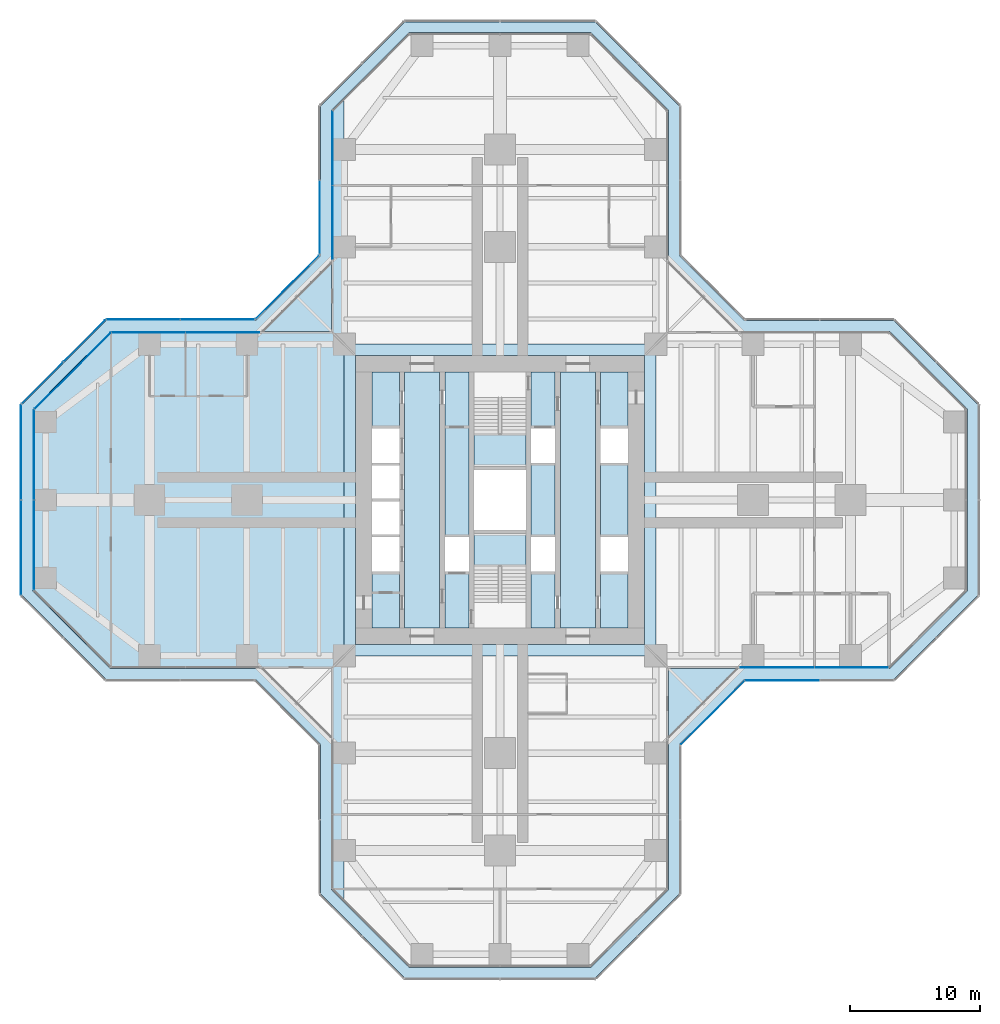
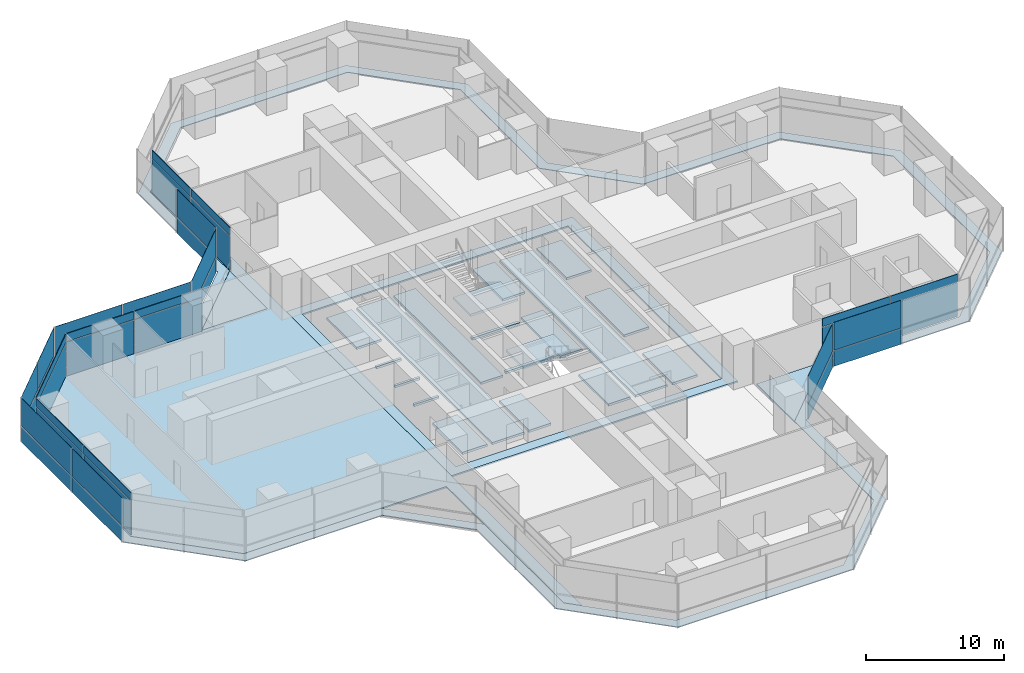
# One storey, part 15 of 22: 39 plates, 7 slabs, 14 elements without a shape of their own.
"""IFC4 building model written with IfcOpenShell, lengths in metres."""

from ifc_helpers import new_model, si_unit, direction, frame, origin, origin_2d, place, context, subcontext, project, spatial, polyline, rectangle, outline, extrude, material, layer, layer_set, type_object, element, aggregate, save


model = new_model("IFC4")

# Units and contexts
model_context = context("Model", 3, precision=1e-05, world=origin(), true_north=direction((0.0, 1.0)))
body_context = subcontext(model_context, "Body", "Model", "MODEL_VIEW")
ifc_project = project(units=[si_unit("LENGTHUNIT", "METRE"), si_unit("AREAUNIT", "SQUARE_METRE"), si_unit("VOLUMEUNIT", "CUBIC_METRE"), si_unit("PLANEANGLEUNIT", "RADIAN"), si_unit("MASSUNIT", "GRAM", prefix="KILO")], contexts=[model_context])

# Site, building, storey
site_placement = place(None, origin())
site = spatial("IfcSite", under=ifc_project, at=site_placement, CompositionType="ELEMENT")
building_placement = place(site_placement, origin())
building = spatial("IfcBuilding", under=site, at=building_placement, Name="Mizan Broadcast Tower", CompositionType="ELEMENT")
storey_placement = place(building_placement, frame((0.0, 0.0, 86.39990234375)))
storey = spatial("IfcBuildingStorey", under=building, at=storey_placement, Name="L18", CompositionType="ELEMENT", Elevation=86.39990234375)

# Plate
ifc_material_1 = material(Name="Aluminium grating", Category="aluminium")
ifc_layer_1 = layer(ifc_material_1, 0.050048828125)
ifc_layer_set_1 = layer_set([ifc_layer_1], Name="Aluminium grating")
plate_type_1 = type_object("IfcPlateType", Name="CAVITY GRATING", PredefinedType="USERDEFINED", material=ifc_layer_set_1)
plate_1_placement = place(storey_placement, frame((0.0, 0.0, -0.0498046875)))
element("IfcPlate", 1, at=plate_1_placement, inside=storey, type_object=plate_type_1, Name="Cavity grating L18", ObjectType="GRATING", PredefinedType="USERDEFINED", context=body_context, shape_type="SweptSolid", body=[
    extrude(outline(polyline([(13.820068359375, -18.839599609375), (18.839599609375, -13.820068359375), (30.339599609375, -13.820068359375), (36.820068359375, -7.339599609375), (36.820068359375, 7.339599609375), (30.339599609375, 13.820068359375), (18.839599609375, 13.820068359375), (13.820068359375, 18.839599609375), (13.820068359375, 30.339599609375), (7.339599609375, 36.820068359375), (-7.339599609375, 36.820068359375), (-13.820068359375, 30.339599609375), (-13.820068359375, 18.839599609375), (-18.839599609375, 13.820068359375), (-30.339599609375, 13.820068359375), (-36.820068359375, 7.339599609375), (-36.820068359375, -7.339599609375), (-30.339599609375, -13.820068359375), (-18.839599609375, -13.820068359375), (-13.820068359375, -18.839599609375), (-13.820068359375, -30.339599609375), (-7.339599609375, -36.820068359375), (7.339599609375, -36.820068359375), (13.820068359375, -30.339599609375), (13.820068359375, -18.839599609375)]), holes=[polyline([(36.0, 7.0), (36.0, -7.0), (30.0, -13.0), (18.5, -13.0), (13.0, -18.5), (13.0, -30.0), (7.0, -36.0), (-7.0, -36.0), (-13.0, -30.0), (-13.0, -18.5), (-18.5, -13.0), (-30.0, -13.0), (-36.0, -7.0), (-36.0, 7.0), (-30.0, 13.0), (-18.5, 13.0), (-13.0, 18.5), (-13.0, 30.0), (-7.0, 36.0), (7.0, 36.0), (13.0, 30.0), (13.0, 18.5), (18.5, 13.0), (30.0, 13.0), (36.0, 7.0)])]), origin(), (0.0, 0.0, 1.0), 0.0498046875),
])

# Slabs
ifc_material_2 = material(Name="Concrete C32/40", Category="concrete")
ifc_layer_2 = layer(ifc_material_2, 0.1298828125)
ifc_layer_set_2 = layer_set([ifc_layer_2], Name="Concrete C32/40")
slab_type_1 = type_object("IfcSlabType", Name="COMPOSITE DECK SLAB 130", PredefinedType="FLOOR", material=ifc_layer_set_2)
slab_1_placement = place(storey_placement, frame((0.0, 0.0, -0.1298828125)))
element("IfcSlab", 2, at=slab_1_placement, inside=storey, type_object=slab_type_1, Name="Floor slab L18 centre", PredefinedType="FLOOR", context=body_context, shape_type="SweptSolid", body=[
    extrude(outline(polyline([(-12.0, -12.0), (12.0, -12.0), (12.0, 12.0), (-12.0, 12.0), (-12.0, -12.0)]), holes=[polyline([(-11.14990234375, 11.14990234375), (11.14990234375, 11.14990234375), (11.14990234375, -11.14990234375), (-11.14990234375, -11.14990234375), (-11.14990234375, 11.14990234375)])]), origin(), (0.0, 0.0, 1.0), 0.1298828125),
])
slab_2_placement = place(storey_placement, frame((0.0, 0.0, -0.1298828125)))
element("IfcSlab", 3, at=slab_2_placement, inside=storey, type_object=slab_type_1, Name="Floor slab L18 west arm", PredefinedType="FLOOR", context=body_context, shape_type="SweptSolid", body=[
    extrude(outline(polyline([(-13.0, -30.0), (-12.0, -31.0), (-12.0, 31.0), (-13.0, 30.0), (-13.0, 13.0), (-30.0, 13.0), (-36.0, 7.0), (-36.0, -7.0), (-30.0, -13.0), (-13.0, -13.0), (-13.0, -30.0)])), origin(), (0.0, 0.0, 1.0), 0.1298828125),
])
ifc_material_3 = material(Name="Concrete C40/50", Category="concrete")
ifc_layer_3 = layer(ifc_material_3, 0.199951171875)
ifc_layer_set_3 = layer_set([ifc_layer_3], Name="Concrete C40/50")
slab_type_2 = type_object("IfcSlabType", Name="CORE FLOOR 200", PredefinedType="FLOOR", material=ifc_layer_set_3)
slab_3_placement = place(storey_placement, frame((0.0, 0.0, -0.199951171875)))
element("IfcSlab", 4, at=slab_3_placement, inside=storey, type_object=slab_type_2, Name="Core floor L18", PredefinedType="FLOOR", context=body_context, shape_type="SweptSolid", body=[
    extrude(outline(polyline([(-9.85009765625, -9.85009765625), (-7.75, -9.85009765625), (-7.75, -5.5), (-9.85009765625, -5.5), (-9.85009765625, -9.85009765625)])), origin(), (0.0, 0.0, 1.0), 0.199951171875),
    extrude(outline(polyline([(-9.85009765625, -2.85009765625), (-7.75, -2.85009765625), (-7.75, -2.64990234375), (-9.85009765625, -2.64990234375), (-9.85009765625, -2.85009765625)])), origin(), (0.0, 0.0, 1.0), 0.199951171875),
    extrude(outline(polyline([(-9.85009765625, -0.10009765625), (-7.75, -0.10009765625), (-7.75, 0.10009765625), (-9.85009765625, 0.10009765625), (-9.85009765625, -0.10009765625)])), origin(), (0.0, 0.0, 1.0), 0.199951171875),
    extrude(outline(polyline([(-9.85009765625, 2.64990234375), (-7.75, 2.64990234375), (-7.75, 2.85009765625), (-9.85009765625, 2.85009765625), (-9.85009765625, 2.64990234375)])), origin(), (0.0, 0.0, 1.0), 0.199951171875),
    extrude(outline(polyline([(-9.85009765625, 5.5), (-7.75, 5.5), (-7.75, 9.85009765625), (-9.85009765625, 9.85009765625), (-9.85009765625, 5.5)])), origin(), (0.0, 0.0, 1.0), 0.199951171875),
    extrude(outline(polyline([(-4.64990234375, 9.85009765625), (-7.35009765625, 9.85009765625), (-7.35009765625, -9.85009765625), (-4.64990234375, -9.85009765625), (-4.64990234375, 9.85009765625)])), origin(), (0.0, 0.0, 1.0), 0.199951171875),
    extrude(outline(polyline([(-4.25, -5.5), (-4.25, -9.85009765625), (-2.39990234375, -9.85009765625), (-2.39990234375, -5.5), (-4.25, -5.5)])), origin(), (0.0, 0.0, 1.0), 0.199951171875),
    extrude(outline(polyline([(-4.25, -2.85009765625), (-2.39990234375, -2.85009765625), (-2.39990234375, 9.85009765625), (-4.25, 9.85009765625), (-4.25, -2.85009765625)])), origin(), (0.0, 0.0, 1.0), 0.199951171875),
    extrude(outline(polyline([(2.0, -2.324951171875), (-2.0, -2.324951171875), (-2.0, -2.574951171875), (2.0, -2.574951171875), (2.0, -2.324951171875)])), origin(), (0.0, 0.0, 1.0), 0.199951171875),
    extrude(outline(polyline([(2.0, 2.574951171875), (-2.0, 2.574951171875), (-2.0, 2.324951171875), (2.0, 2.324951171875), (2.0, 2.574951171875)])), origin(), (0.0, 0.0, 1.0), 0.199951171875),
    extrude(outline(polyline([(4.25, -9.85009765625), (4.25, -5.5), (2.39990234375, -5.5), (2.39990234375, -9.85009765625), (4.25, -9.85009765625)])), origin(), (0.0, 0.0, 1.0), 0.199951171875),
    extrude(outline(polyline([(4.25, -2.85009765625), (4.25, 2.85009765625), (2.39990234375, 2.85009765625), (2.39990234375, -2.85009765625), (4.25, -2.85009765625)])), origin(), (0.0, 0.0, 1.0), 0.199951171875),
    extrude(outline(polyline([(4.25, 5.5), (4.25, 9.85009765625), (2.39990234375, 9.85009765625), (2.39990234375, 5.5), (4.25, 5.5)])), origin(), (0.0, 0.0, 1.0), 0.199951171875),
    extrude(outline(polyline([(4.64990234375, 9.85009765625), (4.64990234375, -9.85009765625), (7.35009765625, -9.85009765625), (7.35009765625, 9.85009765625), (4.64990234375, 9.85009765625)])), origin(), (0.0, 0.0, 1.0), 0.199951171875),
    extrude(outline(polyline([(9.85009765625, -9.85009765625), (9.85009765625, -5.5), (7.75, -5.5), (7.75, -9.85009765625), (9.85009765625, -9.85009765625)])), origin(), (0.0, 0.0, 1.0), 0.199951171875),
    extrude(outline(polyline([(7.75, 2.85009765625), (7.75, -2.85009765625), (9.85009765625, -2.85009765625), (9.85009765625, 2.85009765625), (7.75, 2.85009765625)])), origin(), (0.0, 0.0, 1.0), 0.199951171875),
    extrude(outline(polyline([(9.85009765625, 5.5), (9.85009765625, 9.85009765625), (7.75, 9.85009765625), (7.75, 5.5), (9.85009765625, 5.5)])), origin(), (0.0, 0.0, 1.0), 0.199951171875),
])

# Curtain wall, plates
ifc_material_4 = material(Name="Aluminium framed glazing", Category="aluminium")
curtain_wall_type_1 = type_object("IfcCurtainWallType", Name="INNER SKIN LOW ZONE", PredefinedType="USERDEFINED", material=ifc_material_4)
curtain_wall_1_placement = place(storey_placement, origin())
curtain_wall_1 = element("IfcCurtainWall", 5, at=curtain_wall_1_placement, inside=storey, type_object=curtain_wall_type_1, Name="Inner skin low zone L18 E side", ObjectType="INNER SKIN LOW ZONE", PredefinedType="USERDEFINED")
ifc_material_5 = material(Name="Double glazing, clear low-e", Category="glass")
ifc_layer_4 = layer(ifc_material_5, 0.028076171875)
ifc_layer_set_4 = layer_set([ifc_layer_4], Name="Double glazing, clear low-e")
plate_type_2 = type_object("IfcPlateType", Name="INNER SKIN GLAZING UNIT", PredefinedType="CURTAIN_PANEL", material=ifc_layer_set_4)
plate_2_placement = place(storey_placement, frame((21.379638671875, -12.89990234375, 0.0), z_axis=(0.0, 0.0, 1.0), x_axis=(1.0, 0.0, 0.0)))
plate_2 = element("IfcPlate", 6, at=plate_2_placement, type_object=plate_type_2, Name="Inner skin low zone L18 E side panel 1.1", PredefinedType="CURTAIN_PANEL", context=body_context, shape_type="SweptSolid", body=[
    extrude(rectangle(XDim=5.639404296875, YDim=0.028076171875, at=origin_2d()), origin(), (0.0, 0.0, 1.0), 3.0),
])
plate_3_placement = place(storey_placement, frame((27.078857421875, -12.89990234375, 0.0), z_axis=(0.0, 0.0, 1.0), x_axis=(1.0, 0.0, 0.0)))
plate_3 = element("IfcPlate", 7, at=plate_3_placement, type_object=plate_type_2, Name="Inner skin low zone L18 E side panel 2.1", PredefinedType="CURTAIN_PANEL", context=body_context, shape_type="SweptSolid", body=[
    extrude(rectangle(XDim=5.639404296875, YDim=0.028076171875, at=origin_2d()), origin(), (0.0, 0.0, 1.0), 3.0),
])

curtain_wall_2_placement = place(storey_placement, origin())
curtain_wall_2 = element("IfcCurtainWall", 8, at=curtain_wall_2_placement, inside=storey, type_object=curtain_wall_type_1, Name="Inner skin low zone L18 N side", ObjectType="INNER SKIN LOW ZONE", PredefinedType="USERDEFINED")
plate_4_placement = place(storey_placement, frame((-12.89990234375, 27.078857421875, 0.0), z_axis=(0.0, 0.0, 1.0), x_axis=(0.0, -1.0, 0.0)))
plate_4 = element("IfcPlate", 9, at=plate_4_placement, type_object=plate_type_2, Name="Inner skin low zone L18 N side panel 1.1", PredefinedType="CURTAIN_PANEL", context=body_context, shape_type="SweptSolid", body=[
    extrude(rectangle(XDim=5.639404296875, YDim=0.028076171875, at=origin_2d()), origin(), (0.0, 0.0, 1.0), 3.0),
])
plate_5_placement = place(storey_placement, frame((-12.89990234375, 21.379638671875, 0.0), z_axis=(0.0, 0.0, 1.0), x_axis=(0.0, -1.0, 0.0)))
plate_5 = element("IfcPlate", 10, at=plate_5_placement, type_object=plate_type_2, Name="Inner skin low zone L18 N side panel 2.1", PredefinedType="CURTAIN_PANEL", context=body_context, shape_type="SweptSolid", body=[
    extrude(rectangle(XDim=5.639404296875, YDim=0.028076171875, at=origin_2d()), origin(), (0.0, 0.0, 1.0), 3.0),
])

curtain_wall_3_placement = place(storey_placement, origin())
curtain_wall_3 = element("IfcCurtainWall", 11, at=curtain_wall_3_placement, inside=storey, type_object=curtain_wall_type_1, Name="Inner skin low zone L18 W side", ObjectType="INNER SKIN LOW ZONE", PredefinedType="USERDEFINED")
plate_6_placement = place(storey_placement, frame((-21.379638671875, 12.89990234375, 0.0), z_axis=(0.0, 0.0, 1.0), x_axis=(-1.0, 0.0, 0.0)))
plate_6 = element("IfcPlate", 12, at=plate_6_placement, type_object=plate_type_2, Name="Inner skin low zone L18 W side panel 1.1", PredefinedType="CURTAIN_PANEL", context=body_context, shape_type="SweptSolid", body=[
    extrude(rectangle(XDim=5.639404296875, YDim=0.028076171875, at=origin_2d()), origin(), (0.0, 0.0, 1.0), 3.0),
])
plate_7_placement = place(storey_placement, frame((-27.078857421875, 12.89990234375, 0.0), z_axis=(0.0, 0.0, 1.0), x_axis=(-1.0, 0.0, 0.0)))
plate_7 = element("IfcPlate", 13, at=plate_7_placement, type_object=plate_type_2, Name="Inner skin low zone L18 W side panel 2.1", PredefinedType="CURTAIN_PANEL", context=body_context, shape_type="SweptSolid", body=[
    extrude(rectangle(XDim=5.639404296875, YDim=0.028076171875, at=origin_2d()), origin(), (0.0, 0.0, 1.0), 3.0),
])

# Curtain wall, plate
curtain_wall_4_placement = place(storey_placement, origin())
curtain_wall_4 = element("IfcCurtainWall", 14, at=curtain_wall_4_placement, inside=storey, type_object=curtain_wall_type_1, Name="Inner skin low zone L18 W chamfer", ObjectType="INNER SKIN LOW ZONE", PredefinedType="USERDEFINED")
plate_8_placement = place(storey_placement, frame((-32.92919921875, 9.92919921875, 0.0), z_axis=(0.0, 0.0, 1.0), x_axis=(-0.707106781187, -0.707106781187, 0.0)))
plate_8 = element("IfcPlate", 15, at=plate_8_placement, type_object=plate_type_2, Name="Inner skin low zone L18 W chamfer panel 1.1", PredefinedType="CURTAIN_PANEL", context=body_context, shape_type="SweptSolid", body=[
    extrude(rectangle(XDim=8.282470703125, YDim=0.028076171875, at=origin_2d()), origin(), (0.0, 0.0, 1.0), 3.0),
])

# Curtain wall, plates
curtain_wall_5_placement = place(storey_placement, origin())
curtain_wall_5 = element("IfcCurtainWall", 16, at=curtain_wall_5_placement, inside=storey, type_object=curtain_wall_type_1, Name="Inner skin low zone L18 W end", ObjectType="INNER SKIN LOW ZONE", PredefinedType="USERDEFINED")
plate_9_placement = place(storey_placement, frame((-35.89990234375, 3.46435546875, 0.0), z_axis=(0.0, 0.0, 1.0), x_axis=(0.0, -1.0, 0.0)))
plate_9 = element("IfcPlate", 17, at=plate_9_placement, type_object=plate_type_2, Name="Inner skin low zone L18 W end panel 1.1", PredefinedType="CURTAIN_PANEL", context=body_context, shape_type="SweptSolid", body=[
    extrude(rectangle(XDim=6.86865234375, YDim=0.028076171875, at=origin_2d()), origin(), (0.0, 0.0, 1.0), 3.0),
])
plate_10_placement = place(storey_placement, frame((-35.89990234375, -3.46435546875, 0.0), z_axis=(0.0, 0.0, 1.0), x_axis=(0.0, -1.0, 0.0)))
plate_10 = element("IfcPlate", 18, at=plate_10_placement, type_object=plate_type_2, Name="Inner skin low zone L18 W end panel 2.1", PredefinedType="CURTAIN_PANEL", context=body_context, shape_type="SweptSolid", body=[
    extrude(rectangle(XDim=6.86865234375, YDim=0.028076171875, at=origin_2d()), origin(), (0.0, 0.0, 1.0), 3.0),
])

# Plate
ifc_material_6 = material(Name="Insulated aluminium spandrel panel, pale anodised", Category="aluminium")
ifc_layer_5 = layer(ifc_material_6, 0.050048828125)
ifc_layer_set_5 = layer_set([ifc_layer_5], Name="Insulated aluminium spandrel panel, pale anodised")
plate_type_3 = type_object("IfcPlateType", Name="INNER SKIN SPANDREL PANEL", PredefinedType="CURTAIN_PANEL", material=ifc_layer_set_5)
plate_11_placement = place(storey_placement, frame((21.379638671875, -12.89990234375, 3.06005859375), z_axis=(0.0, 0.0, 1.0), x_axis=(1.0, 0.0, 0.0)))
plate_11 = element("IfcPlate", 19, at=plate_11_placement, type_object=plate_type_3, Name="Inner skin low zone L18 E side panel 1.2", PredefinedType="CURTAIN_PANEL", context=body_context, shape_type="SweptSolid", body=[
    extrude(rectangle(XDim=5.639404296875, YDim=0.050048828125, at=origin_2d()), origin(), (0.0, 0.0, 1.0), 0.7099609375),
])

plate_12_placement = place(storey_placement, frame((27.078857421875, -12.89990234375, 3.06005859375), z_axis=(0.0, 0.0, 1.0), x_axis=(1.0, 0.0, 0.0)))
plate_12 = element("IfcPlate", 20, at=plate_12_placement, type_object=plate_type_3, Name="Inner skin low zone L18 E side panel 2.2", PredefinedType="CURTAIN_PANEL", context=body_context, shape_type="SweptSolid", body=[
    extrude(rectangle(XDim=5.639404296875, YDim=0.050048828125, at=origin_2d()), origin(), (0.0, 0.0, 1.0), 0.7099609375),
])

aggregate(curtain_wall_1, [plate_2, plate_11, plate_3, plate_12])

plate_13_placement = place(storey_placement, frame((-12.89990234375, 27.078857421875, 3.06005859375), z_axis=(0.0, 0.0, 1.0), x_axis=(0.0, -1.0, 0.0)))
plate_13 = element("IfcPlate", 21, at=plate_13_placement, type_object=plate_type_3, Name="Inner skin low zone L18 N side panel 1.2", PredefinedType="CURTAIN_PANEL", context=body_context, shape_type="SweptSolid", body=[
    extrude(rectangle(XDim=5.639404296875, YDim=0.050048828125, at=origin_2d()), origin(), (0.0, 0.0, 1.0), 0.7099609375),
])

plate_14_placement = place(storey_placement, frame((-12.89990234375, 21.379638671875, 3.06005859375), z_axis=(0.0, 0.0, 1.0), x_axis=(0.0, -1.0, 0.0)))
plate_14 = element("IfcPlate", 22, at=plate_14_placement, type_object=plate_type_3, Name="Inner skin low zone L18 N side panel 2.2", PredefinedType="CURTAIN_PANEL", context=body_context, shape_type="SweptSolid", body=[
    extrude(rectangle(XDim=5.639404296875, YDim=0.050048828125, at=origin_2d()), origin(), (0.0, 0.0, 1.0), 0.7099609375),
])

aggregate(curtain_wall_2, [plate_4, plate_13, plate_5, plate_14])

plate_15_placement = place(storey_placement, frame((-21.379638671875, 12.89990234375, 3.06005859375), z_axis=(0.0, 0.0, 1.0), x_axis=(-1.0, 0.0, 0.0)))
plate_15 = element("IfcPlate", 23, at=plate_15_placement, type_object=plate_type_3, Name="Inner skin low zone L18 W side panel 1.2", PredefinedType="CURTAIN_PANEL", context=body_context, shape_type="SweptSolid", body=[
    extrude(rectangle(XDim=5.639404296875, YDim=0.050048828125, at=origin_2d()), origin(), (0.0, 0.0, 1.0), 0.7099609375),
])

plate_16_placement = place(storey_placement, frame((-27.078857421875, 12.89990234375, 3.06005859375), z_axis=(0.0, 0.0, 1.0), x_axis=(-1.0, 0.0, 0.0)))
plate_16 = element("IfcPlate", 24, at=plate_16_placement, type_object=plate_type_3, Name="Inner skin low zone L18 W side panel 2.2", PredefinedType="CURTAIN_PANEL", context=body_context, shape_type="SweptSolid", body=[
    extrude(rectangle(XDim=5.639404296875, YDim=0.050048828125, at=origin_2d()), origin(), (0.0, 0.0, 1.0), 0.7099609375),
])

aggregate(curtain_wall_3, [plate_6, plate_15, plate_7, plate_16])

plate_17_placement = place(storey_placement, frame((-32.92919921875, 9.92919921875, 3.06005859375), z_axis=(0.0, 0.0, 1.0), x_axis=(-0.707106781187, -0.707106781187, 0.0)))
plate_17 = element("IfcPlate", 25, at=plate_17_placement, type_object=plate_type_3, Name="Inner skin low zone L18 W chamfer panel 1.2", PredefinedType="CURTAIN_PANEL", context=body_context, shape_type="SweptSolid", body=[
    extrude(rectangle(XDim=8.282470703125, YDim=0.050048828125, at=origin_2d()), origin(), (0.0, 0.0, 1.0), 0.7099609375),
])

aggregate(curtain_wall_4, [plate_8, plate_17])

plate_18_placement = place(storey_placement, frame((-35.89990234375, 3.46435546875, 3.06005859375), z_axis=(0.0, 0.0, 1.0), x_axis=(0.0, -1.0, 0.0)))
plate_18 = element("IfcPlate", 26, at=plate_18_placement, type_object=plate_type_3, Name="Inner skin low zone L18 W end panel 1.2", PredefinedType="CURTAIN_PANEL", context=body_context, shape_type="SweptSolid", body=[
    extrude(rectangle(XDim=6.86865234375, YDim=0.050048828125, at=origin_2d()), origin(), (0.0, 0.0, 1.0), 0.7099609375),
])

plate_19_placement = place(storey_placement, frame((-35.89990234375, -3.46435546875, 3.06005859375), z_axis=(0.0, 0.0, 1.0), x_axis=(0.0, -1.0, 0.0)))
plate_19 = element("IfcPlate", 27, at=plate_19_placement, type_object=plate_type_3, Name="Inner skin low zone L18 W end panel 2.2", PredefinedType="CURTAIN_PANEL", context=body_context, shape_type="SweptSolid", body=[
    extrude(rectangle(XDim=6.86865234375, YDim=0.050048828125, at=origin_2d()), origin(), (0.0, 0.0, 1.0), 0.7099609375),
])

aggregate(curtain_wall_5, [plate_9, plate_18, plate_10, plate_19])

# Curtain wall, plates
ifc_material_7 = material(Name="Aluminium framed glazing", Category="aluminium")
curtain_wall_type_2 = type_object("IfcCurtainWallType", Name="OUTER SKIN", PredefinedType="USERDEFINED", material=ifc_material_7)
curtain_wall_6_placement = place(storey_placement, origin())
curtain_wall_6 = element("IfcCurtainWall", 28, at=curtain_wall_6_placement, inside=storey, type_object=curtain_wall_type_2, Name="Outer skin L18 W chamfer", ObjectType="OUTER SKIN", PredefinedType="USERDEFINED")
ifc_material_8 = material(Name="Laminated clear glass", Category="glass")
ifc_layer_6 = layer(ifc_material_8, 0.02001953125)
ifc_layer_set_6 = layer_set([ifc_layer_6], Name="Laminated clear glass")
plate_type_4 = type_object("IfcPlateType", Name="OUTER SKIN CLEAR GLASS", PredefinedType="CURTAIN_PANEL", material=ifc_layer_set_6)
plate_20_placement = place(storey_placement, frame((-16.386474609375, 16.386474609375, 0.0), z_axis=(0.0, 0.0, 1.0), x_axis=(-0.707106781187, -0.707106781187, 0.0)))
plate_20 = element("IfcPlate", 29, at=plate_20_placement, type_object=plate_type_4, Name="Outer skin L18 W chamfer panel 1.1", PredefinedType="CURTAIN_PANEL", context=body_context, shape_type="SweptSolid", body=[
    extrude(rectangle(XDim=6.87255859375, YDim=0.02001953125, at=origin_2d()), origin(), (0.0, 0.0, 1.0), 1.3701171875),
])
plate_21_placement = place(storey_placement, frame((-16.386474609375, 16.386474609375, 1.43017578125), z_axis=(0.0, 0.0, 1.0), x_axis=(-0.707106781187, -0.707106781187, 0.0)))
plate_21 = element("IfcPlate", 30, at=plate_21_placement, type_object=plate_type_4, Name="Outer skin L18 W chamfer panel 1.2", PredefinedType="CURTAIN_PANEL", context=body_context, shape_type="SweptSolid", body=[
    extrude(rectangle(XDim=6.87255859375, YDim=0.02001953125, at=origin_2d()), origin(), (0.0, 0.0, 1.0), 2.469970703125),
])
aggregate(curtain_wall_6, [plate_20, plate_21])

curtain_wall_7_placement = place(storey_placement, origin())
curtain_wall_7 = element("IfcCurtainWall", 31, at=curtain_wall_7_placement, inside=storey, type_object=curtain_wall_type_2, Name="Outer skin L18 W side", ObjectType="OUTER SKIN", PredefinedType="USERDEFINED")
plate_22_placement = place(storey_placement, frame((-21.767822265625, 13.89990234375, 0.0), z_axis=(0.0, 0.0, 1.0), x_axis=(-1.0, 0.0, 0.0)))
plate_22 = element("IfcPlate", 32, at=plate_22_placement, type_object=plate_type_4, Name="Outer skin L18 W side panel 1.1", PredefinedType="CURTAIN_PANEL", context=body_context, shape_type="SweptSolid", body=[
    extrude(rectangle(XDim=5.6298828125, YDim=0.02001953125, at=origin_2d()), origin(), (0.0, 0.0, 1.0), 1.3701171875),
])
plate_23_placement = place(storey_placement, frame((-21.767822265625, 13.89990234375, 1.43017578125), z_axis=(0.0, 0.0, 1.0), x_axis=(-1.0, 0.0, 0.0)))
plate_23 = element("IfcPlate", 33, at=plate_23_placement, type_object=plate_type_4, Name="Outer skin L18 W side panel 1.2", PredefinedType="CURTAIN_PANEL", context=body_context, shape_type="SweptSolid", body=[
    extrude(rectangle(XDim=5.6298828125, YDim=0.02001953125, at=origin_2d()), origin(), (0.0, 0.0, 1.0), 2.469970703125),
])
plate_24_placement = place(storey_placement, frame((-27.477783203125, 13.89990234375, 0.0), z_axis=(0.0, 0.0, 1.0), x_axis=(-1.0, 0.0, 0.0)))
plate_24 = element("IfcPlate", 34, at=plate_24_placement, type_object=plate_type_4, Name="Outer skin L18 W side panel 2.1", PredefinedType="CURTAIN_PANEL", context=body_context, shape_type="SweptSolid", body=[
    extrude(rectangle(XDim=5.6298828125, YDim=0.02001953125, at=origin_2d()), origin(), (0.0, 0.0, 1.0), 1.3701171875),
])
plate_25_placement = place(storey_placement, frame((-27.477783203125, 13.89990234375, 1.43017578125), z_axis=(0.0, 0.0, 1.0), x_axis=(-1.0, 0.0, 0.0)))
plate_25 = element("IfcPlate", 35, at=plate_25_placement, type_object=plate_type_4, Name="Outer skin L18 W side panel 2.2", PredefinedType="CURTAIN_PANEL", context=body_context, shape_type="SweptSolid", body=[
    extrude(rectangle(XDim=5.6298828125, YDim=0.02001953125, at=origin_2d()), origin(), (0.0, 0.0, 1.0), 2.469970703125),
])
aggregate(curtain_wall_7, [plate_22, plate_23, plate_24, plate_25])

curtain_wall_8_placement = place(storey_placement, origin())
curtain_wall_8 = element("IfcCurtainWall", 36, at=curtain_wall_8_placement, inside=storey, type_object=curtain_wall_type_2, Name="Outer skin L18 W chamfer", ObjectType="OUTER SKIN", PredefinedType="USERDEFINED")
plate_26_placement = place(storey_placement, frame((-32.018798828125, 12.254150390625, 0.0), z_axis=(0.0, 0.0, 1.0), x_axis=(-0.707106781187, -0.707106781187, 0.0)))
plate_26 = element("IfcPlate", 37, at=plate_26_placement, type_object=plate_type_4, Name="Outer skin L18 W chamfer panel 1.1", PredefinedType="CURTAIN_PANEL", context=body_context, shape_type="SweptSolid", body=[
    extrude(rectangle(XDim=4.495361328125, YDim=0.02001953125, at=origin_2d()), origin(), (0.0, 0.0, 1.0), 1.3701171875),
])
plate_27_placement = place(storey_placement, frame((-32.018798828125, 12.254150390625, 1.43017578125), z_axis=(0.0, 0.0, 1.0), x_axis=(-0.707106781187, -0.707106781187, 0.0)))
plate_27 = element("IfcPlate", 38, at=plate_27_placement, type_object=plate_type_4, Name="Outer skin L18 W chamfer panel 1.2", PredefinedType="CURTAIN_PANEL", context=body_context, shape_type="SweptSolid", body=[
    extrude(rectangle(XDim=4.495361328125, YDim=0.02001953125, at=origin_2d()), origin(), (0.0, 0.0, 1.0), 2.469970703125),
])

curtain_wall_9_placement = place(storey_placement, origin())
curtain_wall_9 = element("IfcCurtainWall", 39, at=curtain_wall_9_placement, inside=storey, type_object=curtain_wall_type_2, Name="Outer skin L18 W end", ObjectType="OUTER SKIN", PredefinedType="USERDEFINED")
plate_28_placement = place(storey_placement, frame((-36.89990234375, 3.66650390625, 0.0), z_axis=(0.0, 0.0, 1.0), x_axis=(0.0, -1.0, 0.0)))
plate_28 = element("IfcPlate", 40, at=plate_28_placement, type_object=plate_type_4, Name="Outer skin L18 W end panel 1.1", PredefinedType="CURTAIN_PANEL", context=body_context, shape_type="SweptSolid", body=[
    extrude(rectangle(XDim=7.252685546875, YDim=0.02001953125, at=origin_2d()), origin(), (0.0, 0.0, 1.0), 1.3701171875),
])
plate_29_placement = place(storey_placement, frame((-36.89990234375, 3.66650390625, 1.43017578125), z_axis=(0.0, 0.0, 1.0), x_axis=(0.0, -1.0, 0.0)))
plate_29 = element("IfcPlate", 41, at=plate_29_placement, type_object=plate_type_4, Name="Outer skin L18 W end panel 1.2", PredefinedType="CURTAIN_PANEL", context=body_context, shape_type="SweptSolid", body=[
    extrude(rectangle(XDim=7.252685546875, YDim=0.02001953125, at=origin_2d()), origin(), (0.0, 0.0, 1.0), 2.469970703125),
])

curtain_wall_10_placement = place(storey_placement, origin())
curtain_wall_10 = element("IfcCurtainWall", 42, at=curtain_wall_10_placement, inside=storey, type_object=curtain_wall_type_2, Name="Outer skin L18 E chamfer", ObjectType="OUTER SKIN", PredefinedType="USERDEFINED")
plate_30_placement = place(storey_placement, frame((16.386474609375, -16.386474609375, 0.0), z_axis=(0.0, 0.0, 1.0), x_axis=(0.707106781187, 0.707106781187, 0.0)))
plate_30 = element("IfcPlate", 43, at=plate_30_placement, type_object=plate_type_4, Name="Outer skin L18 E chamfer panel 1.1", PredefinedType="CURTAIN_PANEL", context=body_context, shape_type="SweptSolid", body=[
    extrude(rectangle(XDim=6.87255859375, YDim=0.02001953125, at=origin_2d()), origin(), (0.0, 0.0, 1.0), 1.3701171875),
])
plate_31_placement = place(storey_placement, frame((16.386474609375, -16.386474609375, 1.43017578125), z_axis=(0.0, 0.0, 1.0), x_axis=(0.707106781187, 0.707106781187, 0.0)))
plate_31 = element("IfcPlate", 44, at=plate_31_placement, type_object=plate_type_4, Name="Outer skin L18 E chamfer panel 1.2", PredefinedType="CURTAIN_PANEL", context=body_context, shape_type="SweptSolid", body=[
    extrude(rectangle(XDim=6.87255859375, YDim=0.02001953125, at=origin_2d()), origin(), (0.0, 0.0, 1.0), 2.469970703125),
])
aggregate(curtain_wall_10, [plate_30, plate_31])

curtain_wall_11_placement = place(storey_placement, origin())
curtain_wall_11 = element("IfcCurtainWall", 45, at=curtain_wall_11_placement, inside=storey, type_object=curtain_wall_type_2, Name="Outer skin L18 E side", ObjectType="OUTER SKIN", PredefinedType="USERDEFINED")
plate_32_placement = place(storey_placement, frame((21.767822265625, -13.89990234375, 0.0), z_axis=(0.0, 0.0, 1.0), x_axis=(1.0, 0.0, 0.0)))
plate_32 = element("IfcPlate", 46, at=plate_32_placement, type_object=plate_type_4, Name="Outer skin L18 E side panel 1.1", PredefinedType="CURTAIN_PANEL", context=body_context, shape_type="SweptSolid", body=[
    extrude(rectangle(XDim=5.6298828125, YDim=0.02001953125, at=origin_2d()), origin(), (0.0, 0.0, 1.0), 1.3701171875),
])
plate_33_placement = place(storey_placement, frame((21.767822265625, -13.89990234375, 1.43017578125), z_axis=(0.0, 0.0, 1.0), x_axis=(1.0, 0.0, 0.0)))
plate_33 = element("IfcPlate", 47, at=plate_33_placement, type_object=plate_type_4, Name="Outer skin L18 E side panel 1.2", PredefinedType="CURTAIN_PANEL", context=body_context, shape_type="SweptSolid", body=[
    extrude(rectangle(XDim=5.6298828125, YDim=0.02001953125, at=origin_2d()), origin(), (0.0, 0.0, 1.0), 2.469970703125),
])
aggregate(curtain_wall_11, [plate_32, plate_33])

curtain_wall_12_placement = place(storey_placement, origin())
curtain_wall_12 = element("IfcCurtainWall", 48, at=curtain_wall_12_placement, inside=storey, type_object=curtain_wall_type_2, Name="Outer skin L18 N side", ObjectType="OUTER SKIN", PredefinedType="USERDEFINED")
ifc_material_9 = material(Name="Perforated aluminium, pale anodised", Category="aluminium")
ifc_layer_7 = layer(ifc_material_9, 0.011962890625)
ifc_layer_set_7 = layer_set([ifc_layer_7], Name="Perforated aluminium, pale anodised")
plate_type_5 = type_object("IfcPlateType", Name="OUTER SKIN PERFORATED SCREEN", PredefinedType="USERDEFINED", material=ifc_layer_set_7)
plate_34_placement = place(storey_placement, frame((-13.89990234375, 21.767822265625, 0.0), z_axis=(0.0, 0.0, 1.0), x_axis=(0.0, -1.0, 0.0)))
plate_34 = element("IfcPlate", 49, at=plate_34_placement, type_object=plate_type_5, Name="Outer skin L18 N side panel 2.1", ObjectType="SCREEN", PredefinedType="USERDEFINED", context=body_context, shape_type="SweptSolid", body=[
    extrude(rectangle(XDim=5.6298828125, YDim=0.011962890625, at=origin_2d()), origin(), (0.0, 0.0, 1.0), 1.3701171875),
])
plate_35_placement = place(storey_placement, frame((-13.89990234375, 21.767822265625, 1.43017578125), z_axis=(0.0, 0.0, 1.0), x_axis=(0.0, -1.0, 0.0)))
plate_35 = element("IfcPlate", 50, at=plate_35_placement, type_object=plate_type_5, Name="Outer skin L18 N side panel 2.2", ObjectType="SCREEN", PredefinedType="USERDEFINED", context=body_context, shape_type="SweptSolid", body=[
    extrude(rectangle(XDim=5.6298828125, YDim=0.011962890625, at=origin_2d()), origin(), (0.0, 0.0, 1.0), 2.469970703125),
])
aggregate(curtain_wall_12, [plate_34, plate_35])

# Plate
plate_36_placement = place(storey_placement, frame((-35.254150390625, 9.018798828125, 0.0), z_axis=(0.0, 0.0, 1.0), x_axis=(-0.707106781187, -0.707106781187, 0.0)))
plate_36 = element("IfcPlate", 51, at=plate_36_placement, type_object=plate_type_5, Name="Outer skin L18 W chamfer panel 2.1", ObjectType="SCREEN", PredefinedType="USERDEFINED", context=body_context, shape_type="SweptSolid", body=[
    extrude(rectangle(XDim=4.495361328125, YDim=0.011962890625, at=origin_2d()), origin(), (0.0, 0.0, 1.0), 1.3701171875),
])

plate_37_placement = place(storey_placement, frame((-35.254150390625, 9.018798828125, 1.43017578125), z_axis=(0.0, 0.0, 1.0), x_axis=(-0.707106781187, -0.707106781187, 0.0)))
plate_37 = element("IfcPlate", 52, at=plate_37_placement, type_object=plate_type_5, Name="Outer skin L18 W chamfer panel 2.2", ObjectType="SCREEN", PredefinedType="USERDEFINED", context=body_context, shape_type="SweptSolid", body=[
    extrude(rectangle(XDim=4.495361328125, YDim=0.011962890625, at=origin_2d()), origin(), (0.0, 0.0, 1.0), 2.469970703125),
])

aggregate(curtain_wall_8, [plate_26, plate_27, plate_36, plate_37])

plate_38_placement = place(storey_placement, frame((-36.89990234375, -3.66650390625, 0.0), z_axis=(0.0, 0.0, 1.0), x_axis=(0.0, -1.0, 0.0)))
plate_38 = element("IfcPlate", 53, at=plate_38_placement, type_object=plate_type_5, Name="Outer skin L18 W end panel 2.1", ObjectType="SCREEN", PredefinedType="USERDEFINED", context=body_context, shape_type="SweptSolid", body=[
    extrude(rectangle(XDim=7.252685546875, YDim=0.011962890625, at=origin_2d()), origin(), (0.0, 0.0, 1.0), 1.3701171875),
])

plate_39_placement = place(storey_placement, frame((-36.89990234375, -3.66650390625, 1.43017578125), z_axis=(0.0, 0.0, 1.0), x_axis=(0.0, -1.0, 0.0)))
plate_39 = element("IfcPlate", 54, at=plate_39_placement, type_object=plate_type_5, Name="Outer skin L18 W end panel 2.2", ObjectType="SCREEN", PredefinedType="USERDEFINED", context=body_context, shape_type="SweptSolid", body=[
    extrude(rectangle(XDim=7.252685546875, YDim=0.011962890625, at=origin_2d()), origin(), (0.0, 0.0, 1.0), 2.469970703125),
])

aggregate(curtain_wall_9, [plate_28, plate_29, plate_38, plate_39])

# Stair, slab
ifc_material_10 = material(Name="Concrete C40/50", Category="concrete")
stair_type = type_object("IfcStairType", Name="EXIT STAIR", PredefinedType="HALF_TURN_STAIR", material=ifc_material_10)
stair_1_placement = place(storey_placement, origin())
stair_1 = element("IfcStair", 55, at=stair_1_placement, inside=storey, type_object=stair_type, Name="Stair A L18", PredefinedType="HALF_TURN_STAIR")
ifc_material_11 = material(Name="Concrete C40/50", Category="concrete")
ifc_layer_8 = layer(ifc_material_11, 0.199951171875)
ifc_layer_set_8 = layer_set([ifc_layer_8], Name="Concrete C40/50")
slab_type_3 = type_object("IfcSlabType", Name="STAIR LANDING 200", PredefinedType="LANDING", material=ifc_layer_set_8)
slab_4_placement = place(storey_placement, frame((0.0, 0.0, 1.75)))
slab_4 = element("IfcSlab", 56, at=slab_4_placement, type_object=slab_type_3, Name="A landing 2", PredefinedType="LANDING", context=body_context, shape_type="SweptSolid", body=[
    extrude(outline(polyline([(-2.0, -5.10009765625), (-2.0, -2.574951171875), (2.0, -2.574951171875), (2.0, -5.10009765625), (-2.0, -5.10009765625)])), origin(), (0.0, 0.0, 1.0), 0.2001953125),
])
aggregate(stair_1, [slab_4])

stair_2_placement = place(storey_placement, origin())
stair_2 = element("IfcStair", 57, at=stair_2_placement, inside=storey, type_object=stair_type, Name="Stair B L18", PredefinedType="HALF_TURN_STAIR")
slab_5_placement = place(storey_placement, frame((0.0, 0.0, 1.75)))
slab_5 = element("IfcSlab", 58, at=slab_5_placement, type_object=slab_type_3, Name="B landing 2", PredefinedType="LANDING", context=body_context, shape_type="SweptSolid", body=[
    extrude(outline(polyline([(2.0, 5.10009765625), (2.0, 2.574951171875), (-2.0, 2.574951171875), (-2.0, 5.10009765625), (2.0, 5.10009765625)])), origin(), (0.0, 0.0, 1.0), 0.2001953125),
])
aggregate(stair_2, [slab_5])

# Slabs
ifc_material_12 = material(Name="Concrete C32/40", Category="concrete")
ifc_layer_9 = layer(ifc_material_12, 0.1298828125)
ifc_layer_set_9 = layer_set([ifc_layer_9], Name="Concrete C32/40")
slab_type_4 = type_object("IfcSlabType", Name="WINTER GARDEN SLAB 130", PredefinedType="FLOOR", material=ifc_layer_set_9)
slab_6_placement = place(storey_placement, frame((0.0, 0.0, -0.1298828125)))
element("IfcSlab", 59, at=slab_6_placement, inside=storey, type_object=slab_type_4, Name="Winter garden slab L18 N", PredefinedType="FLOOR", context=body_context, shape_type="SweptSolid", body=[
    extrude(outline(polyline([(-13.0, 13.0), (-13.0, 18.5), (-18.5, 13.0), (-13.0, 13.0)])), origin(), (0.0, 0.0, 1.0), 0.1298828125),
])
slab_7_placement = place(storey_placement, frame((0.0, 0.0, -0.1298828125)))
element("IfcSlab", 60, at=slab_7_placement, inside=storey, type_object=slab_type_4, Name="Winter garden slab L18 S", PredefinedType="FLOOR", context=body_context, shape_type="SweptSolid", body=[
    extrude(outline(polyline([(13.0, -13.0), (13.0, -18.5), (18.5, -13.0), (13.0, -13.0)])), origin(), (0.0, 0.0, 1.0), 0.1298828125),
])

save(model, "model.ifc")
